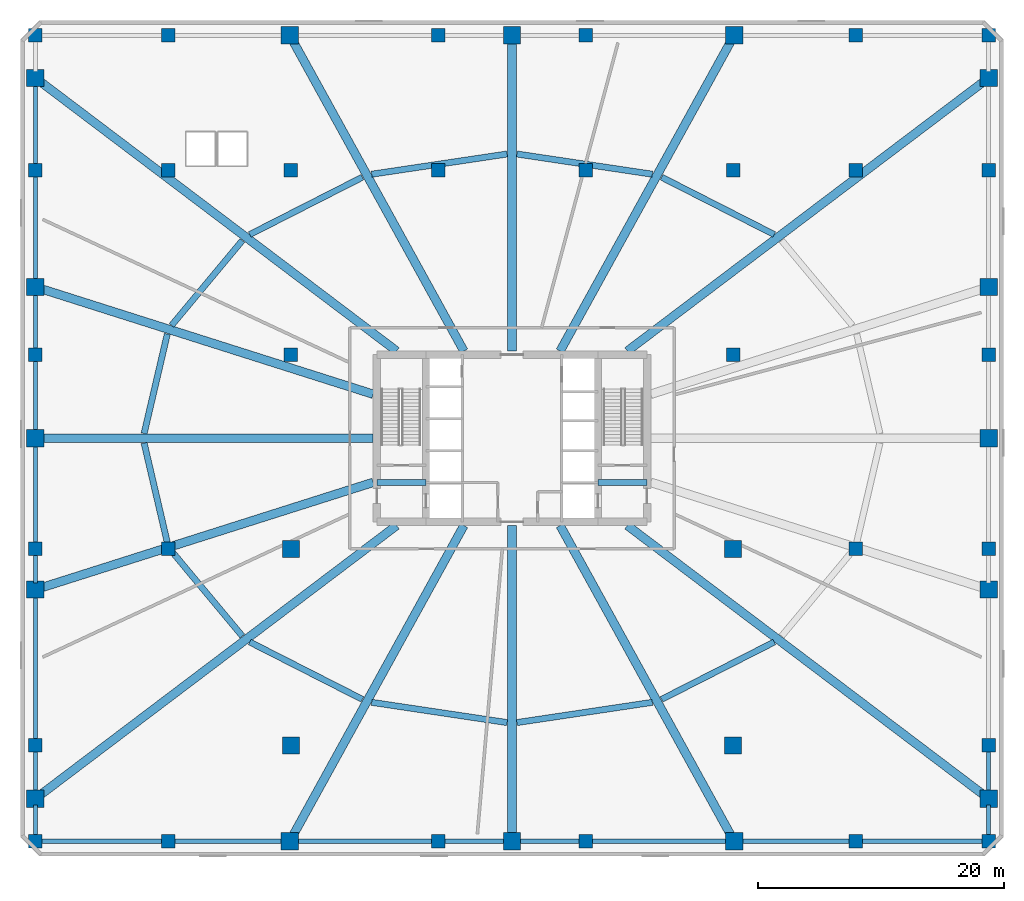
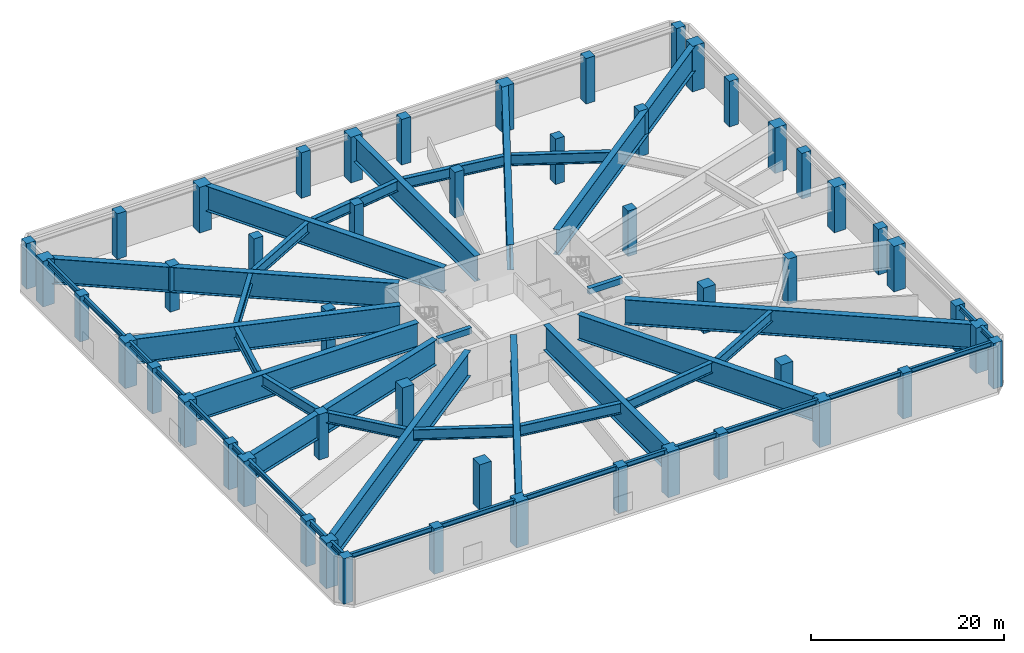
# One storey, part 1 of 9: 50 columns, 46 beams.
"""IFC4 building model written with IfcOpenShell, lengths in metres."""

from ifc_helpers import new_model, si_unit, direction, frame, origin, origin_2d, place, context, subcontext, project, spatial, rectangle, i_section, extrude, material, material_profile, profile_set, type_object, element, save


model = new_model("IFC4")

# Units and contexts
model_context = context("Model", 3, precision=1e-05, world=origin(), true_north=direction((0.0, 1.0)))
body_context = subcontext(model_context, "Body", "Model", "MODEL_VIEW")
ifc_project = project(units=[si_unit("LENGTHUNIT", "METRE"), si_unit("AREAUNIT", "SQUARE_METRE"), si_unit("VOLUMEUNIT", "CUBIC_METRE"), si_unit("PLANEANGLEUNIT", "RADIAN"), si_unit("MASSUNIT", "GRAM", prefix="KILO")], contexts=[model_context])

# Site, building, storey
site_placement = place(None, origin())
site = spatial("IfcSite", under=ifc_project, at=site_placement, CompositionType="ELEMENT")
building_placement = place(site_placement, origin())
building = spatial("IfcBuilding", under=site, at=building_placement, Name="Sarneth Arch Tower", CompositionType="ELEMENT")
storey_placement = place(building_placement, frame((0.0, 0.0, 22.199951171875)))
storey = spatial("IfcBuildingStorey", under=building, at=storey_placement, Name="L04", CompositionType="ELEMENT", Elevation=22.199951171875)

# Columns
ifc_material_1 = material(Name="Concrete C60/75", Category="concrete")
ifc_material_profile_1 = material_profile(ifc_material_1, rectangle(XDim=1.10009765625, YDim=1.10009765625, at=origin_2d()), Name="RC-1100x1100")
ifc_profile_set_1 = profile_set([ifc_material_profile_1], Name="Concrete C60/75")
column_type_1 = type_object("IfcColumnType", Name="COL-RC-1100", PredefinedType="COLUMN", material=ifc_profile_set_1)
for number, where, z_axis, x_axis, name in (
    (1, (9.199951171875, 74.800048828125, 0.0), (0.0, 0.0, 1.0), (1.0, 0.0, 0.0), "L04 Podium column PN01"),
    (2, (9.199951171875, 9.199951171875, 0.0), (0.0, 0.0, 1.0), (1.0, 0.0, 0.0), "L04 Podium column PS01"),
    (3, (9.199951171875, 63.800048828125, 0.0), (0.0, 0.0, 1.0), (1.0, 0.0, 0.0), "L04 Podium column PC01"),
    (4, (20.0, 74.800048828125, 0.0), (0.0, 0.0, 1.0), (1.0, 0.0, 0.0), "L04 Podium column PN02"),
    (5, (20.0, 9.199951171875, 0.0), (0.0, 0.0, 1.0), (1.0, 0.0, 0.0), "L04 Podium column PS02"),
    (6, (20.0, 63.800048828125, 0.0), (0.0, 0.0, 1.0), (1.0, 0.0, 0.0), "L04 Podium column PC02"),
    (7, (30.0, 63.800048828125, 0.0), (0.0, 0.0, 1.0), (1.0, 0.0, 0.0), "L04 Podium column PC03"),
    (8, (42.0, 74.800048828125, 0.0), (0.0, 0.0, 1.0), (1.0, 0.0, 0.0), "L04 Podium column PN04"),
    (9, (42.0, 9.199951171875, 0.0), (0.0, 0.0, 1.0), (1.0, 0.0, 0.0), "L04 Podium column PS04"),
    (10, (42.0, 63.800048828125, 0.0), (0.0, 0.0, 1.0), (1.0, 0.0, 0.0), "L04 Podium column PC04"),
    (11, (54.0, 74.800048828125, 0.0), (0.0, 0.0, 1.0), (1.0, 0.0, 0.0), "L04 Podium column PN05"),
    (12, (54.0, 9.199951171875, 0.0), (0.0, 0.0, 1.0), (1.0, 0.0, 0.0), "L04 Podium column PS05"),
    (13, (54.0, 63.800048828125, 0.0), (0.0, 0.0, 1.0), (1.0, 0.0, 0.0), "L04 Podium column PC05"),
    (14, (66.0, 63.800048828125, 0.0), (0.0, 0.0, 1.0), (1.0, 0.0, 0.0), "L04 Podium column PC06"),
    (15, (76.0, 74.800048828125, 0.0), (0.0, 0.0, 1.0), (1.0, 0.0, 0.0), "L04 Podium column PN07"),
    (16, (76.0, 9.199951171875, 0.0), (0.0, 0.0, 1.0), (1.0, 0.0, 0.0), "L04 Podium column PS07"),
    (17, (76.0, 63.800048828125, 0.0), (0.0, 0.0, 1.0), (1.0, 0.0, 0.0), "L04 Podium column PC07"),
    (18, (86.800048828125, 74.800048828125, 0.0), (0.0, 0.0, 1.0), (1.0, 0.0, 0.0), "L04 Podium column PN08"),
    (19, (86.800048828125, 9.199951171875, 0.0), (0.0, 0.0, 1.0), (1.0, 0.0, 0.0), "L04 Podium column PS08"),
    (20, (86.800048828125, 63.800048828125, 0.0), (0.0, 0.0, 1.0), (1.0, 0.0, 0.0), "L04 Podium column PC08"),
    (21, (9.199951171875, 17.0, 0.0), (0.0, 0.0, 1.0), (1.0, 0.0, 0.0), "L04 Podium column PW01"),
    (22, (86.800048828125, 17.0, 0.0), (0.0, 0.0, 1.0), (1.0, 0.0, 0.0), "L04 Podium column PE01"),
    (23, (9.199951171875, 33.0, 0.0), (0.0, 0.0, 1.0), (1.0, 0.0, 0.0), "L04 Podium column PW02"),
    (24, (86.800048828125, 33.0, 0.0), (0.0, 0.0, 1.0), (1.0, 0.0, 0.0), "L04 Podium column PE02"),
    (25, (9.199951171875, 48.800048828125, 0.0), (0.0, 0.0, 1.0), (1.0, 0.0, 0.0), "L04 Podium column PW03"),
    (26, (86.800048828125, 48.800048828125, 0.0), (0.0, 0.0, 1.0), (1.0, 0.0, 0.0), "L04 Podium column PE03"),
    (27, (20.0, 33.0, 0.0), (0.0, 0.0, 1.0), (1.0, 0.0, 0.0), "L04 Podium column AN-W1"),
    (28, (76.0, 33.0, 0.0), (0.0, 0.0, 1.0), (1.0, 0.0, 0.0), "L04 Podium column AN-E1"),
    (29, (30.0, 48.800048828125, 0.0), (0.0, 0.0, 1.0), (1.0, 0.0, 0.0), "L04 Podium column WC-W1"),
    (30, (66.0, 48.800048828125, 0.0), (0.0, 0.0, 1.0), (1.0, 0.0, 0.0), "L04 Podium column WC-E1"),
):
    element("IfcColumn", number, at=place(storey_placement, frame(where, z_axis=z_axis, x_axis=x_axis)), inside=storey, type_object=column_type_1, Name=name, PredefinedType="COLUMN", context=body_context, shape_type="SweptSolid", body=[
        extrude(rectangle(XDim=1.10009765625, YDim=1.10009765625, at=origin_2d()), origin(), (0.0, 0.0, 1.0), 5.75),
    ])
ifc_material_2 = material(Name="Concrete C60/75", Category="concrete")
ifc_material_profile_2 = material_profile(ifc_material_2, rectangle(XDim=1.39990234375, YDim=1.39990234375, at=origin_2d()), Name="RC-1400x1400")
ifc_profile_set_2 = profile_set([ifc_material_profile_2], Name="Concrete C60/75")
column_type_2 = type_object("IfcColumnType", Name="COL-RC-1400", PredefinedType="COLUMN", material=ifc_profile_set_2)
for number, where, z_axis, x_axis, name in (
    (31, (30.0, 17.0, 0.0), (0.0, 0.0, 1.0), (1.0, 0.0, 0.0), "L04 Podium column AP-SW"),
    (32, (66.0, 17.0, 0.0), (0.0, 0.0, 1.0), (1.0, 0.0, 0.0), "L04 Podium column AP-SE"),
    (33, (30.0, 33.0, 0.0), (0.0, 0.0, 1.0), (1.0, 0.0, 0.0), "L04 Podium column AP-NW"),
    (34, (66.0, 33.0, 0.0), (0.0, 0.0, 1.0), (1.0, 0.0, 0.0), "L04 Podium column AP-NE"),
    (35, (86.800048828125, 42.0, 0.0), (0.0, 0.0, 1.0), (1.0, 0.0, 0.0), "L04 Podium column PX01"),
    (36, (86.800048828125, 54.31787109375, 0.0), (0.0, 0.0, 1.0), (1.0, 0.0, 0.0), "L04 Podium column PX02"),
    (37, (86.800048828125, 71.336669921875, 0.0), (0.0, 0.0, 1.0), (1.0, 0.0, 0.0), "L04 Podium column PX03"),
    (38, (66.08447265625, 74.800048828125, 0.0), (0.0, 0.0, 1.0), (1.0, 0.0, 0.0), "L04 Podium column PX04"),
    (39, (48.0, 74.800048828125, 0.0), (0.0, 0.0, 1.0), (1.0, 0.0, 0.0), "L04 Podium column PX05"),
    (40, (29.91552734375, 74.800048828125, 0.0), (0.0, 0.0, 1.0), (1.0, 0.0, 0.0), "L04 Podium column PX06"),
    (41, (9.199951171875, 71.336669921875, 0.0), (0.0, 0.0, 1.0), (1.0, 0.0, 0.0), "L04 Podium column PX07"),
    (42, (9.199951171875, 54.31787109375, 0.0), (0.0, 0.0, 1.0), (1.0, 0.0, 0.0), "L04 Podium column PX08"),
    (43, (9.199951171875, 42.0, 0.0), (0.0, 0.0, 1.0), (1.0, 0.0, 0.0), "L04 Podium column PX09"),
    (44, (9.199951171875, 29.68212890625, 0.0), (0.0, 0.0, 1.0), (1.0, 0.0, 0.0), "L04 Podium column PX10"),
    (45, (9.199951171875, 12.663330078125, 0.0), (0.0, 0.0, 1.0), (1.0, 0.0, 0.0), "L04 Podium column PX11"),
    (46, (29.91552734375, 9.199951171875, 0.0), (0.0, 0.0, 1.0), (1.0, 0.0, 0.0), "L04 Podium column PX12"),
    (47, (48.0, 9.199951171875, 0.0), (0.0, 0.0, 1.0), (1.0, 0.0, 0.0), "L04 Podium column PX13"),
    (48, (66.08447265625, 9.199951171875, 0.0), (0.0, 0.0, 1.0), (1.0, 0.0, 0.0), "L04 Podium column PX14"),
    (49, (86.800048828125, 12.663330078125, 0.0), (0.0, 0.0, 1.0), (1.0, 0.0, 0.0), "L04 Podium column PX15"),
    (50, (86.800048828125, 29.68212890625, 0.0), (0.0, 0.0, 1.0), (1.0, 0.0, 0.0), "L04 Podium column PX16"),
):
    element("IfcColumn", number, at=place(storey_placement, frame(where, z_axis=z_axis, x_axis=x_axis)), inside=storey, type_object=column_type_2, Name=name, PredefinedType="COLUMN", context=body_context, shape_type="SweptSolid", body=[
        extrude(rectangle(XDim=1.39990234375, YDim=1.39990234375, at=origin_2d()), origin(), (0.0, 0.0, 1.0), 5.75),
    ])

# Beams
ifc_material_3 = material(Name="Concrete C50/60", Category="concrete")
ifc_material_profile_3 = material_profile(ifc_material_3, rectangle(XDim=0.5, YDim=0.75, at=origin_2d()), Name="RC-500x750")
ifc_profile_set_3 = profile_set([ifc_material_profile_3], Name="Concrete C50/60")
beam_type_1 = type_object("IfcBeamType", Name="BM-LINTEL-RC", PredefinedType="LINTEL", material=ifc_profile_set_3)
for number, where, z_axis, x_axis, name in (
    (51, (37.0, 38.39990234375, 5.375), (1.0, 0.0, 0.0), (0.0, 1.0, 0.0), "L04 Core coupling lintel W"),
    (52, (55.0, 38.39990234375, 5.375), (1.0, 0.0, 0.0), (0.0, 1.0, 0.0), "L04 Core coupling lintel E"),
):
    element("IfcBeam", number, at=place(storey_placement, frame(where, z_axis=z_axis, x_axis=x_axis)), inside=storey, type_object=beam_type_1, Name=name, PredefinedType="LINTEL", context=body_context, shape_type="SweptSolid", body=[
        extrude(rectangle(XDim=0.5, YDim=0.75, at=origin_2d()), origin(), (0.0, 0.0, 1.0), 4.0),
    ])
ifc_material_4 = material(Name="Steel S355", Category="steel")
ifc_material_profile_4 = material_profile(ifc_material_4, i_section(OverallWidth=0.3291015625, OverallDepth=0.635009765625, WebThickness=0.017822265625, FlangeThickness=0.031005859375, FilletRadius=0.01904296875, at=origin_2d()), Name="W610x241")
ifc_profile_set_4 = profile_set([ifc_material_profile_4], Name="Steel S355")
beam_type_2 = type_object("IfcBeamType", Name="BM-POD-610", PredefinedType="BEAM", material=ifc_profile_set_4)
beam_1_placement = place(storey_placement, frame((9.719970703125, 9.199951171875, 5.4326171875), z_axis=(1.0, 0.0, 0.0), x_axis=(0.0, 1.0, 0.0)))
element("IfcBeam", 53, at=beam_1_placement, inside=storey, type_object=beam_type_2, Name="L04 Podium PS girder 1", PredefinedType="BEAM", context=body_context, shape_type="SweptSolid", body=[
    extrude(i_section(OverallWidth=0.3291015625, OverallDepth=0.635009765625, WebThickness=0.017822265625, FlangeThickness=0.031005859375, FilletRadius=0.01904296875, at=origin_2d()), origin(), (0.0, 0.0, 1.0), 9.760009765625),
])
beam_2_placement = place(storey_placement, frame((20.52001953125, 9.199951171875, 5.4326171875), z_axis=(1.0, 0.0, 0.0), x_axis=(0.0, 1.0, 0.0)))
element("IfcBeam", 54, at=beam_2_placement, inside=storey, type_object=beam_type_2, Name="L04 Podium PS girder 2", PredefinedType="BEAM", context=body_context, shape_type="SweptSolid", body=[
    extrude(i_section(OverallWidth=0.3291015625, OverallDepth=0.635009765625, WebThickness=0.017822265625, FlangeThickness=0.031005859375, FilletRadius=0.01904296875, at=origin_2d()), origin(), (0.0, 0.0, 1.0), 8.87548828125),
])
beam_3_placement = place(storey_placement, frame((30.435546875, 9.199951171875, 5.4326171875), z_axis=(1.0, 0.0, 0.0), x_axis=(0.0, 1.0, 0.0)))
element("IfcBeam", 55, at=beam_3_placement, inside=storey, type_object=beam_type_2, Name="L04 Podium PS girder 3", PredefinedType="BEAM", context=body_context, shape_type="SweptSolid", body=[
    extrude(i_section(OverallWidth=0.3291015625, OverallDepth=0.635009765625, WebThickness=0.017822265625, FlangeThickness=0.031005859375, FilletRadius=0.01904296875, at=origin_2d()), origin(), (0.0, 0.0, 1.0), 11.04443359375),
])
for number, where, z_axis, x_axis, name in (
    (56, (42.52001953125, 9.199951171875, 5.4326171875), (1.0, 0.0, 0.0), (0.0, 1.0, 0.0), "L04 Podium PS girder 4"),
    (57, (48.52001953125, 9.199951171875, 5.4326171875), (1.0, 0.0, 0.0), (0.0, 1.0, 0.0), "L04 Podium PS girder 5"),
):
    element("IfcBeam", number, at=place(storey_placement, frame(where, z_axis=z_axis, x_axis=x_axis)), inside=storey, type_object=beam_type_2, Name=name, PredefinedType="BEAM", context=body_context, shape_type="SweptSolid", body=[
        extrude(i_section(OverallWidth=0.3291015625, OverallDepth=0.635009765625, WebThickness=0.017822265625, FlangeThickness=0.031005859375, FilletRadius=0.01904296875, at=origin_2d()), origin(), (0.0, 0.0, 1.0), 4.9599609375),
    ])
beam_4_placement = place(storey_placement, frame((54.52001953125, 9.199951171875, 5.4326171875), z_axis=(1.0, 0.0, 0.0), x_axis=(0.0, 1.0, 0.0)))
element("IfcBeam", 58, at=beam_4_placement, inside=storey, type_object=beam_type_2, Name="L04 Podium PS girder 6", PredefinedType="BEAM", context=body_context, shape_type="SweptSolid", body=[
    extrude(i_section(OverallWidth=0.3291015625, OverallDepth=0.635009765625, WebThickness=0.017822265625, FlangeThickness=0.031005859375, FilletRadius=0.01904296875, at=origin_2d()), origin(), (0.0, 0.0, 1.0), 11.04443359375),
])
beam_5_placement = place(storey_placement, frame((66.6044921875, 9.199951171875, 5.4326171875), z_axis=(1.0, 0.0, 0.0), x_axis=(0.0, 1.0, 0.0)))
element("IfcBeam", 59, at=beam_5_placement, inside=storey, type_object=beam_type_2, Name="L04 Podium PS girder 7", PredefinedType="BEAM", context=body_context, shape_type="SweptSolid", body=[
    extrude(i_section(OverallWidth=0.3291015625, OverallDepth=0.635009765625, WebThickness=0.017822265625, FlangeThickness=0.031005859375, FilletRadius=0.01904296875, at=origin_2d()), origin(), (0.0, 0.0, 1.0), 8.87548828125),
])
beam_6_placement = place(storey_placement, frame((76.52001953125, 9.199951171875, 5.4326171875), z_axis=(1.0, 0.0, 0.0), x_axis=(0.0, 1.0, 0.0)))
element("IfcBeam", 60, at=beam_6_placement, inside=storey, type_object=beam_type_2, Name="L04 Podium PS girder 8", PredefinedType="BEAM", context=body_context, shape_type="SweptSolid", body=[
    extrude(i_section(OverallWidth=0.3291015625, OverallDepth=0.635009765625, WebThickness=0.017822265625, FlangeThickness=0.031005859375, FilletRadius=0.01904296875, at=origin_2d()), origin(), (0.0, 0.0, 1.0), 9.760009765625),
])
beam_7_placement = place(storey_placement, frame((9.199951171875, 9.719970703125, 5.4326171875), z_axis=(0.0, 1.0, 0.0), x_axis=(-1.0, 0.0, 0.0)))
element("IfcBeam", 61, at=beam_7_placement, inside=storey, type_object=beam_type_2, Name="L04 Podium PW girder 1", PredefinedType="BEAM", context=body_context, shape_type="SweptSolid", body=[
    extrude(i_section(OverallWidth=0.3291015625, OverallDepth=0.635009765625, WebThickness=0.017822265625, FlangeThickness=0.031005859375, FilletRadius=0.01904296875, at=origin_2d()), origin(), (0.0, 0.0, 1.0), 2.42333984375),
])
beam_8_placement = place(storey_placement, frame((9.199951171875, 13.183349609375, 5.4326171875), z_axis=(0.0, 1.0, 0.0), x_axis=(-1.0, 0.0, 0.0)))
element("IfcBeam", 62, at=beam_8_placement, inside=storey, type_object=beam_type_2, Name="L04 Podium PW girder 2", PredefinedType="BEAM", context=body_context, shape_type="SweptSolid", body=[
    extrude(i_section(OverallWidth=0.3291015625, OverallDepth=0.635009765625, WebThickness=0.017822265625, FlangeThickness=0.031005859375, FilletRadius=0.01904296875, at=origin_2d()), origin(), (0.0, 0.0, 1.0), 3.296630859375),
])
beam_9_placement = place(storey_placement, frame((9.199951171875, 17.52001953125, 5.4326171875), z_axis=(0.0, 1.0, 0.0), x_axis=(-1.0, 0.0, 0.0)))
element("IfcBeam", 63, at=beam_9_placement, inside=storey, type_object=beam_type_2, Name="L04 Podium PW girder 3", PredefinedType="BEAM", context=body_context, shape_type="SweptSolid", body=[
    extrude(i_section(OverallWidth=0.3291015625, OverallDepth=0.635009765625, WebThickness=0.017822265625, FlangeThickness=0.031005859375, FilletRadius=0.01904296875, at=origin_2d()), origin(), (0.0, 0.0, 1.0), 11.64208984375),
])
beam_10_placement = place(storey_placement, frame((9.199951171875, 30.2021484375, 5.4326171875), z_axis=(0.0, 1.0, 0.0), x_axis=(-1.0, 0.0, 0.0)))
element("IfcBeam", 64, at=beam_10_placement, inside=storey, type_object=beam_type_2, Name="L04 Podium PW girder 4", PredefinedType="BEAM", context=body_context, shape_type="SweptSolid", body=[
    extrude(i_section(OverallWidth=0.3291015625, OverallDepth=0.635009765625, WebThickness=0.017822265625, FlangeThickness=0.031005859375, FilletRadius=0.01904296875, at=origin_2d()), origin(), (0.0, 0.0, 1.0), 2.27783203125),
])
beam_11_placement = place(storey_placement, frame((9.199951171875, 33.52001953125, 5.4326171875), z_axis=(0.0, 1.0, 0.0), x_axis=(-1.0, 0.0, 0.0)))
element("IfcBeam", 65, at=beam_11_placement, inside=storey, type_object=beam_type_2, Name="L04 Podium PW girder 5", PredefinedType="BEAM", context=body_context, shape_type="SweptSolid", body=[
    extrude(i_section(OverallWidth=0.3291015625, OverallDepth=0.635009765625, WebThickness=0.017822265625, FlangeThickness=0.031005859375, FilletRadius=0.01904296875, at=origin_2d()), origin(), (0.0, 0.0, 1.0), 7.9599609375),
])
beam_12_placement = place(storey_placement, frame((9.199951171875, 42.52001953125, 5.4326171875), z_axis=(0.0, 1.0, 0.0), x_axis=(-1.0, 0.0, 0.0)))
element("IfcBeam", 66, at=beam_12_placement, inside=storey, type_object=beam_type_2, Name="L04 Podium PW girder 6", PredefinedType="BEAM", context=body_context, shape_type="SweptSolid", body=[
    extrude(i_section(OverallWidth=0.3291015625, OverallDepth=0.635009765625, WebThickness=0.017822265625, FlangeThickness=0.031005859375, FilletRadius=0.01904296875, at=origin_2d()), origin(), (0.0, 0.0, 1.0), 5.760009765625),
])
beam_13_placement = place(storey_placement, frame((9.199951171875, 49.320068359375, 5.4326171875), z_axis=(0.0, 1.0, 0.0), x_axis=(-1.0, 0.0, 0.0)))
element("IfcBeam", 67, at=beam_13_placement, inside=storey, type_object=beam_type_2, Name="L04 Podium PW girder 7", PredefinedType="BEAM", context=body_context, shape_type="SweptSolid", body=[
    extrude(i_section(OverallWidth=0.3291015625, OverallDepth=0.635009765625, WebThickness=0.017822265625, FlangeThickness=0.031005859375, FilletRadius=0.01904296875, at=origin_2d()), origin(), (0.0, 0.0, 1.0), 4.477783203125),
])
beam_14_placement = place(storey_placement, frame((9.199951171875, 54.837890625, 5.4326171875), z_axis=(0.0, 1.0, 0.0), x_axis=(-1.0, 0.0, 0.0)))
element("IfcBeam", 68, at=beam_14_placement, inside=storey, type_object=beam_type_2, Name="L04 Podium PW girder 8", PredefinedType="BEAM", context=body_context, shape_type="SweptSolid", body=[
    extrude(i_section(OverallWidth=0.3291015625, OverallDepth=0.635009765625, WebThickness=0.017822265625, FlangeThickness=0.031005859375, FilletRadius=0.01904296875, at=origin_2d()), origin(), (0.0, 0.0, 1.0), 8.442138671875),
])
beam_15_placement = place(storey_placement, frame((9.199951171875, 64.320068359375, 5.4326171875), z_axis=(0.0, 1.0, 0.0), x_axis=(-1.0, 0.0, 0.0)))
element("IfcBeam", 69, at=beam_15_placement, inside=storey, type_object=beam_type_2, Name="L04 Podium PW girder 9", PredefinedType="BEAM", context=body_context, shape_type="SweptSolid", body=[
    extrude(i_section(OverallWidth=0.3291015625, OverallDepth=0.635009765625, WebThickness=0.017822265625, FlangeThickness=0.031005859375, FilletRadius=0.01904296875, at=origin_2d()), origin(), (0.0, 0.0, 1.0), 6.49658203125),
])
beam_16_placement = place(storey_placement, frame((86.800048828125, 9.719970703125, 5.4326171875), z_axis=(0.0, 1.0, 0.0), x_axis=(-1.0, 0.0, 0.0)))
element("IfcBeam", 70, at=beam_16_placement, inside=storey, type_object=beam_type_2, Name="L04 Podium PE girder 1", PredefinedType="BEAM", context=body_context, shape_type="SweptSolid", body=[
    extrude(i_section(OverallWidth=0.3291015625, OverallDepth=0.635009765625, WebThickness=0.017822265625, FlangeThickness=0.031005859375, FilletRadius=0.01904296875, at=origin_2d()), origin(), (0.0, 0.0, 1.0), 2.42333984375),
])
beam_17_placement = place(storey_placement, frame((86.800048828125, 13.183349609375, 5.4326171875), z_axis=(0.0, 1.0, 0.0), x_axis=(-1.0, 0.0, 0.0)))
element("IfcBeam", 71, at=beam_17_placement, inside=storey, type_object=beam_type_2, Name="L04 Podium PE girder 2", PredefinedType="BEAM", context=body_context, shape_type="SweptSolid", body=[
    extrude(i_section(OverallWidth=0.3291015625, OverallDepth=0.635009765625, WebThickness=0.017822265625, FlangeThickness=0.031005859375, FilletRadius=0.01904296875, at=origin_2d()), origin(), (0.0, 0.0, 1.0), 3.296630859375),
])
ifc_material_5 = material(Name="Steel S355", Category="steel")
ifc_material_profile_5 = material_profile(ifc_material_5, i_section(OverallWidth=0.5, OverallDepth=1.35009765625, WebThickness=0.02197265625, FlangeThickness=0.044921875, FilletRadius=0.02392578125, at=origin_2d()), Name="CVS1350x595")
ifc_profile_set_5 = profile_set([ifc_material_profile_5], Name="Steel S355")
beam_type_3 = type_object("IfcBeamType", Name="BM-XFER-1350", PredefinedType="BEAM", material=ifc_profile_set_5)
beam_18_placement = place(storey_placement, frame((69.340087890625, 58.58642578125, 5.074951171875), z_axis=(-0.891170793184, 0.453667959389, 0.0), x_axis=(-0.453667959389, -0.891170793184, 0.0)))
element("IfcBeam", 72, at=beam_18_placement, inside=storey, type_object=beam_type_3, Name="L04 Ring transfer tie girder 03", PredefinedType="BEAM", context=body_context, shape_type="SweptSolid", body=[
    extrude(i_section(OverallWidth=0.5, OverallDepth=1.35009765625, WebThickness=0.02197265625, FlangeThickness=0.044921875, FilletRadius=0.02392578125, at=origin_2d()), origin(), (0.0, 0.0, 1.0), 10.28515625),
])
for number, where, z_axis, x_axis, name in (
    (73, (59.422119140625, 63.4931640625, 5.074951171875), (-0.989018918585, 0.147788966712, 0.0), (-0.147788966712, -0.989018918585, 0.0), "L04 Ring transfer tie girder 04"),
    (74, (47.6044921875, 65.140869140625, 5.074951171875), (-0.989018918585, -0.147788966712, 0.0), (0.147788966712, -0.989018918585, 0.0), "L04 Ring transfer tie girder 05"),
):
    element("IfcBeam", number, at=place(storey_placement, frame(where, z_axis=z_axis, x_axis=x_axis)), inside=storey, type_object=beam_type_3, Name=name, PredefinedType="BEAM", context=body_context, shape_type="SweptSolid", body=[
        extrude(i_section(OverallWidth=0.5, OverallDepth=1.35009765625, WebThickness=0.02197265625, FlangeThickness=0.044921875, FilletRadius=0.02392578125, at=origin_2d()), origin(), (0.0, 0.0, 1.0), 11.14892578125),
    ])
beam_19_placement = place(storey_placement, frame((35.82568359375, 63.25244140625, 5.074951171875), z_axis=(-0.891170793184, -0.453667959389, 0.0), x_axis=(0.453667959389, -0.891170793184, 0.0)))
element("IfcBeam", 75, at=beam_19_placement, inside=storey, type_object=beam_type_3, Name="L04 Ring transfer tie girder 06", PredefinedType="BEAM", context=body_context, shape_type="SweptSolid", body=[
    extrude(i_section(OverallWidth=0.5, OverallDepth=1.35009765625, WebThickness=0.02197265625, FlangeThickness=0.044921875, FilletRadius=0.02392578125, at=origin_2d()), origin(), (0.0, 0.0, 1.0), 10.28515625),
])
beam_20_placement = place(storey_placement, frame((26.04736328125, 58.097412109375, 5.074951171875), z_axis=(-0.639984157624, -0.768388103753, 0.0), x_axis=(0.768388103753, -0.639984157624, 0.0)))
element("IfcBeam", 76, at=beam_20_placement, inside=storey, type_object=beam_type_3, Name="L04 Ring transfer tie girder 07", PredefinedType="BEAM", context=body_context, shape_type="SweptSolid", body=[
    extrude(i_section(OverallWidth=0.5, OverallDepth=1.35009765625, WebThickness=0.02197265625, FlangeThickness=0.044921875, FilletRadius=0.02392578125, at=origin_2d()), origin(), (0.0, 0.0, 1.0), 8.995361328125),
])
for number, where, z_axis, x_axis, name in (
    (77, (19.943603515625, 50.48876953125, 5.074951171875), (-0.226990172458, -0.973897048772, 0.0), (0.973897048772, -0.226990172458, 0.0), "L04 Ring transfer tie girder 08"),
    (78, (18.055908203125, 41.6103515625, 5.074951171875), (0.226990172458, -0.973897048772, 0.0), (0.973897048772, 0.226990172458, 0.0), "L04 Ring transfer tie girder 09"),
):
    element("IfcBeam", number, at=place(storey_placement, frame(where, z_axis=z_axis, x_axis=x_axis)), inside=storey, type_object=beam_type_3, Name=name, PredefinedType="BEAM", context=body_context, shape_type="SweptSolid", body=[
        extrude(i_section(OverallWidth=0.5, OverallDepth=1.35009765625, WebThickness=0.02197265625, FlangeThickness=0.044921875, FilletRadius=0.02392578125, at=origin_2d()), origin(), (0.0, 0.0, 1.0), 8.316162109375),
    ])
beam_21_placement = place(storey_placement, frame((20.29052734375, 32.814453125, 5.074951171875), z_axis=(0.639984157624, -0.768388103753, 0.0), x_axis=(0.768388103753, 0.639984157624, 0.0)))
element("IfcBeam", 79, at=beam_21_placement, inside=storey, type_object=beam_type_3, Name="L04 Ring transfer tie girder 10", PredefinedType="BEAM", context=body_context, shape_type="SweptSolid", body=[
    extrude(i_section(OverallWidth=0.5, OverallDepth=1.35009765625, WebThickness=0.02197265625, FlangeThickness=0.044921875, FilletRadius=0.02392578125, at=origin_2d()), origin(), (0.0, 0.0, 1.0), 8.995361328125),
])
beam_22_placement = place(storey_placement, frame((26.659912109375, 25.41357421875, 5.074951171875), z_axis=(0.891170793184, -0.453667959389, 0.0), x_axis=(0.453667959389, 0.891170793184, 0.0)))
element("IfcBeam", 80, at=beam_22_placement, inside=storey, type_object=beam_type_3, Name="L04 Ring transfer tie girder 11", PredefinedType="BEAM", context=body_context, shape_type="SweptSolid", body=[
    extrude(i_section(OverallWidth=0.5, OverallDepth=1.35009765625, WebThickness=0.02197265625, FlangeThickness=0.044921875, FilletRadius=0.02392578125, at=origin_2d()), origin(), (0.0, 0.0, 1.0), 10.28515625),
])
for number, where, z_axis, x_axis, name in (
    (81, (36.577880859375, 20.5068359375, 5.074951171875), (0.989018918585, -0.147788966712, 0.0), (0.147788966712, 0.989018918585, 0.0), "L04 Ring transfer tie girder 12"),
    (82, (48.3955078125, 18.859130859375, 5.074951171875), (0.989018918585, 0.147788966712, 0.0), (-0.147788966712, 0.989018918585, 0.0), "L04 Ring transfer tie girder 13"),
):
    element("IfcBeam", number, at=place(storey_placement, frame(where, z_axis=z_axis, x_axis=x_axis)), inside=storey, type_object=beam_type_3, Name=name, PredefinedType="BEAM", context=body_context, shape_type="SweptSolid", body=[
        extrude(i_section(OverallWidth=0.5, OverallDepth=1.35009765625, WebThickness=0.02197265625, FlangeThickness=0.044921875, FilletRadius=0.02392578125, at=origin_2d()), origin(), (0.0, 0.0, 1.0), 11.14892578125),
    ])
beam_23_placement = place(storey_placement, frame((60.17431640625, 20.74755859375, 5.074951171875), z_axis=(0.891170793184, 0.453667959389, 0.0), x_axis=(-0.453667959389, 0.891170793184, 0.0)))
element("IfcBeam", 83, at=beam_23_placement, inside=storey, type_object=beam_type_3, Name="L04 Ring transfer tie girder 14", PredefinedType="BEAM", context=body_context, shape_type="SweptSolid", body=[
    extrude(i_section(OverallWidth=0.5, OverallDepth=1.35009765625, WebThickness=0.02197265625, FlangeThickness=0.044921875, FilletRadius=0.02392578125, at=origin_2d()), origin(), (0.0, 0.0, 1.0), 10.28515625),
])
ifc_material_6 = material(Name="Steel S355", Category="steel")
ifc_material_profile_6 = material_profile(ifc_material_6, i_section(OverallWidth=0.699951171875, OverallDepth=3.199951171875, WebThickness=0.028076171875, FlangeThickness=0.0400390625, FilletRadius=0.02587890625, at=origin_2d()), Name="CVS3200x1090")
ifc_profile_set_6 = profile_set([ifc_material_profile_6], Name="Steel S355")
beam_type_4 = type_object("IfcBeamType", Name="BM-XFER-3200", PredefinedType="BEAM", material=ifc_profile_set_6)
beam_24_placement = place(storey_placement, frame((57.390380859375, 49.10009765625, 4.150146484375), z_axis=(0.79765632586, 0.603112249764, 0.0), x_axis=(-0.603112249764, 0.79765632586, 0.0)))
element("IfcBeam", 84, at=beam_24_placement, inside=storey, type_object=beam_type_4, Name="L04 Radial transfer girder 03", PredefinedType="BEAM", context=body_context, shape_type="SweptSolid", body=[
    extrude(i_section(OverallWidth=0.699951171875, OverallDepth=3.199951171875, WebThickness=0.028076171875, FlangeThickness=0.0400390625, FilletRadius=0.02587890625, at=origin_2d()), origin(), (0.0, 0.0, 1.0), 36.219970703125),
])
beam_25_placement = place(storey_placement, frame((51.91455078125, 49.10009765625, 4.150146484375), z_axis=(0.482837806857, 0.875709799117, 0.0), x_axis=(-0.875709799117, 0.482837806857, 0.0)))
element("IfcBeam", 85, at=beam_25_placement, inside=storey, type_object=beam_type_4, Name="L04 Radial transfer girder 04", PredefinedType="BEAM", context=body_context, shape_type="SweptSolid", body=[
    extrude(i_section(OverallWidth=0.699951171875, OverallDepth=3.199951171875, WebThickness=0.028076171875, FlangeThickness=0.0400390625, FilletRadius=0.02587890625, at=origin_2d()), origin(), (0.0, 0.0, 1.0), 28.697509765625),
])
beam_26_placement = place(storey_placement, frame((48.0, 49.10009765625, 4.150146484375), z_axis=(0.0, 1.0, 0.0), x_axis=(-1.0, 0.0, 0.0)))
element("IfcBeam", 86, at=beam_26_placement, inside=storey, type_object=beam_type_4, Name="L04 Radial transfer girder 05", PredefinedType="BEAM", context=body_context, shape_type="SweptSolid", body=[
    extrude(i_section(OverallWidth=0.699951171875, OverallDepth=3.199951171875, WebThickness=0.028076171875, FlangeThickness=0.0400390625, FilletRadius=0.02587890625, at=origin_2d()), origin(), (0.0, 0.0, 1.0), 25.0498046875),
])
beam_27_placement = place(storey_placement, frame((44.08544921875, 49.10009765625, 4.150146484375), z_axis=(-0.482837806857, 0.875709799117, 0.0), x_axis=(-0.875709799117, -0.482837806857, 0.0)))
element("IfcBeam", 87, at=beam_27_placement, inside=storey, type_object=beam_type_4, Name="L04 Radial transfer girder 06", PredefinedType="BEAM", context=body_context, shape_type="SweptSolid", body=[
    extrude(i_section(OverallWidth=0.699951171875, OverallDepth=3.199951171875, WebThickness=0.028076171875, FlangeThickness=0.0400390625, FilletRadius=0.02587890625, at=origin_2d()), origin(), (0.0, 0.0, 1.0), 28.697509765625),
])
beam_28_placement = place(storey_placement, frame((38.609619140625, 49.10009765625, 4.150146484375), z_axis=(-0.79765632586, 0.603112249764, 0.0), x_axis=(-0.603112249764, -0.79765632586, 0.0)))
element("IfcBeam", 88, at=beam_28_placement, inside=storey, type_object=beam_type_4, Name="L04 Radial transfer girder 07", PredefinedType="BEAM", context=body_context, shape_type="SweptSolid", body=[
    extrude(i_section(OverallWidth=0.699951171875, OverallDepth=3.199951171875, WebThickness=0.028076171875, FlangeThickness=0.0400390625, FilletRadius=0.02587890625, at=origin_2d()), origin(), (0.0, 0.0, 1.0), 36.219970703125),
])
beam_29_placement = place(storey_placement, frame((36.699951171875, 45.58740234375, 4.150146484375), z_axis=(-0.953119313541, 0.302594735834, 0.0), x_axis=(-0.302594735834, -0.953119313541, 0.0)))
element("IfcBeam", 89, at=beam_29_placement, inside=storey, type_object=beam_type_4, Name="L04 Radial transfer girder 08", PredefinedType="BEAM", context=body_context, shape_type="SweptSolid", body=[
    extrude(i_section(OverallWidth=0.699951171875, OverallDepth=3.199951171875, WebThickness=0.028076171875, FlangeThickness=0.0400390625, FilletRadius=0.02587890625, at=origin_2d()), origin(), (0.0, 0.0, 1.0), 28.20263671875),
])
beam_30_placement = place(storey_placement, frame((36.699951171875, 42.0, 4.150146484375), z_axis=(-1.0, 0.0, 0.0), x_axis=(0.0, -1.0, 0.0)))
element("IfcBeam", 90, at=beam_30_placement, inside=storey, type_object=beam_type_4, Name="L04 Radial transfer girder 09", PredefinedType="BEAM", context=body_context, shape_type="SweptSolid", body=[
    extrude(i_section(OverallWidth=0.699951171875, OverallDepth=3.199951171875, WebThickness=0.028076171875, FlangeThickness=0.0400390625, FilletRadius=0.02587890625, at=origin_2d()), origin(), (0.0, 0.0, 1.0), 26.849853515625),
])
beam_31_placement = place(storey_placement, frame((36.699951171875, 38.41259765625, 4.150146484375), z_axis=(-0.953119313541, -0.302594735834, 0.0), x_axis=(0.302594735834, -0.953119313541, 0.0)))
element("IfcBeam", 91, at=beam_31_placement, inside=storey, type_object=beam_type_4, Name="L04 Radial transfer girder 10", PredefinedType="BEAM", context=body_context, shape_type="SweptSolid", body=[
    extrude(i_section(OverallWidth=0.699951171875, OverallDepth=3.199951171875, WebThickness=0.028076171875, FlangeThickness=0.0400390625, FilletRadius=0.02587890625, at=origin_2d()), origin(), (0.0, 0.0, 1.0), 28.20263671875),
])
beam_32_placement = place(storey_placement, frame((38.609619140625, 34.89990234375, 4.150146484375), z_axis=(-0.79765632586, -0.603112249764, 0.0), x_axis=(0.603112249764, -0.79765632586, 0.0)))
element("IfcBeam", 92, at=beam_32_placement, inside=storey, type_object=beam_type_4, Name="L04 Radial transfer girder 11", PredefinedType="BEAM", context=body_context, shape_type="SweptSolid", body=[
    extrude(i_section(OverallWidth=0.699951171875, OverallDepth=3.199951171875, WebThickness=0.028076171875, FlangeThickness=0.0400390625, FilletRadius=0.02587890625, at=origin_2d()), origin(), (0.0, 0.0, 1.0), 36.219970703125),
])
beam_33_placement = place(storey_placement, frame((44.08544921875, 34.89990234375, 4.150146484375), z_axis=(-0.482837806857, -0.875709799117, 0.0), x_axis=(0.875709799117, -0.482837806857, 0.0)))
element("IfcBeam", 93, at=beam_33_placement, inside=storey, type_object=beam_type_4, Name="L04 Radial transfer girder 12", PredefinedType="BEAM", context=body_context, shape_type="SweptSolid", body=[
    extrude(i_section(OverallWidth=0.699951171875, OverallDepth=3.199951171875, WebThickness=0.028076171875, FlangeThickness=0.0400390625, FilletRadius=0.02587890625, at=origin_2d()), origin(), (0.0, 0.0, 1.0), 28.697509765625),
])
beam_34_placement = place(storey_placement, frame((48.0, 34.89990234375, 4.150146484375), z_axis=(0.0, -1.0, 0.0), x_axis=(1.0, 0.0, 0.0)))
element("IfcBeam", 94, at=beam_34_placement, inside=storey, type_object=beam_type_4, Name="L04 Radial transfer girder 13", PredefinedType="BEAM", context=body_context, shape_type="SweptSolid", body=[
    extrude(i_section(OverallWidth=0.699951171875, OverallDepth=3.199951171875, WebThickness=0.028076171875, FlangeThickness=0.0400390625, FilletRadius=0.02587890625, at=origin_2d()), origin(), (0.0, 0.0, 1.0), 25.0498046875),
])
beam_35_placement = place(storey_placement, frame((51.91455078125, 34.89990234375, 4.150146484375), z_axis=(0.482837806857, -0.875709799117, 0.0), x_axis=(0.875709799117, 0.482837806857, 0.0)))
element("IfcBeam", 95, at=beam_35_placement, inside=storey, type_object=beam_type_4, Name="L04 Radial transfer girder 14", PredefinedType="BEAM", context=body_context, shape_type="SweptSolid", body=[
    extrude(i_section(OverallWidth=0.699951171875, OverallDepth=3.199951171875, WebThickness=0.028076171875, FlangeThickness=0.0400390625, FilletRadius=0.02587890625, at=origin_2d()), origin(), (0.0, 0.0, 1.0), 28.697509765625),
])
beam_36_placement = place(storey_placement, frame((57.390380859375, 34.89990234375, 4.150146484375), z_axis=(0.79765632586, -0.603112249764, 0.0), x_axis=(0.603112249764, 0.79765632586, 0.0)))
element("IfcBeam", 96, at=beam_36_placement, inside=storey, type_object=beam_type_4, Name="L04 Radial transfer girder 15", PredefinedType="BEAM", context=body_context, shape_type="SweptSolid", body=[
    extrude(i_section(OverallWidth=0.699951171875, OverallDepth=3.199951171875, WebThickness=0.028076171875, FlangeThickness=0.0400390625, FilletRadius=0.02587890625, at=origin_2d()), origin(), (0.0, 0.0, 1.0), 36.219970703125),
])

save(model, "model.ifc")
